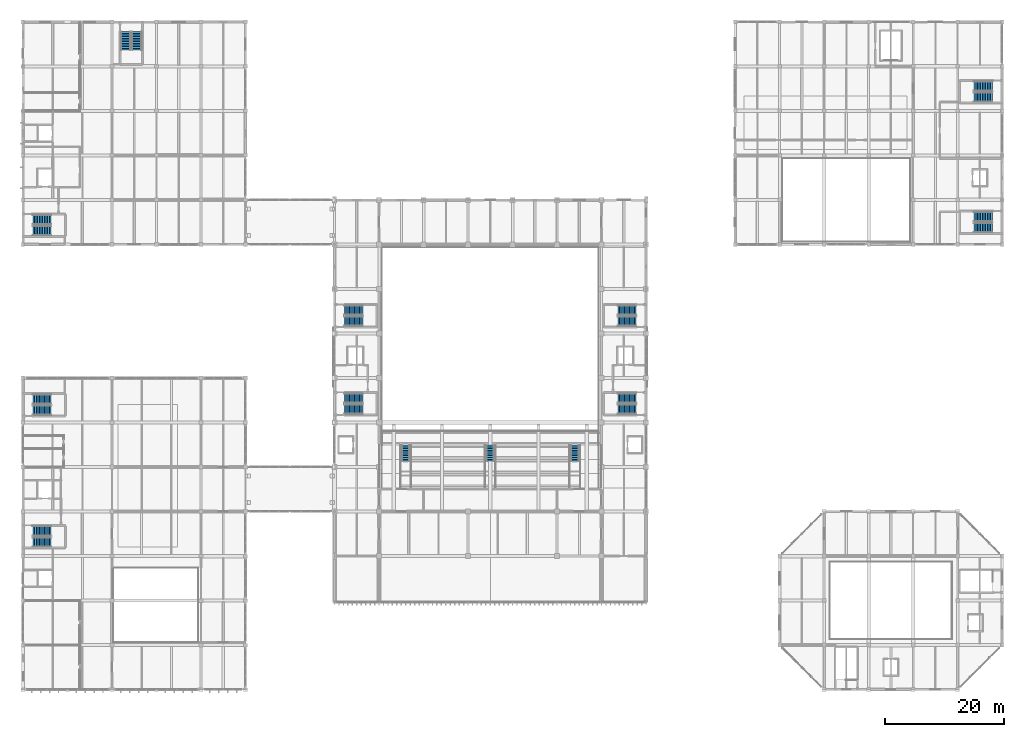
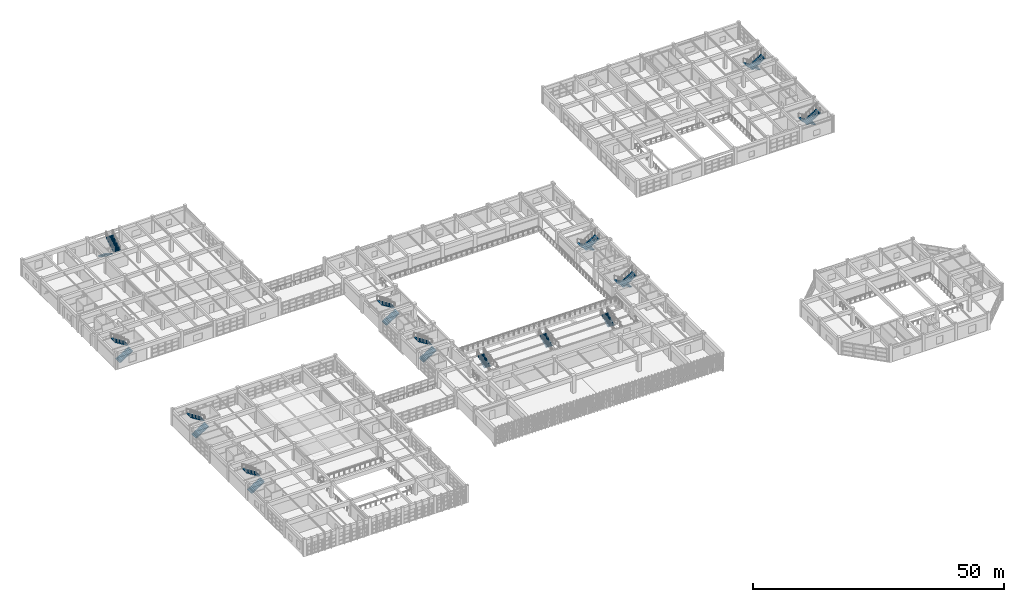
# One storey, part 102 of 124: 23 stair flights, 13 elements without a shape of their own.
"""IFC4 building model written with IfcOpenShell, lengths in metres."""

from ifc_helpers import new_model, si_unit, direction, frame, origin, place, context, subcontext, project, spatial, polyline, outline, extrude, material, type_object, element, aggregate, save


model = new_model("IFC4")

# Units and contexts
model_context = context("Model", 3, precision=1e-05, world=origin(), true_north=direction((0.0, 1.0)))
body_context = subcontext(model_context, "Body", "Model", "MODEL_VIEW")
ifc_project = project(units=[si_unit("LENGTHUNIT", "METRE"), si_unit("AREAUNIT", "SQUARE_METRE"), si_unit("VOLUMEUNIT", "CUBIC_METRE"), si_unit("PLANEANGLEUNIT", "RADIAN"), si_unit("MASSUNIT", "GRAM", prefix="KILO")], contexts=[model_context])

# Site, building, storey
site_placement = place(None, origin())
site = spatial("IfcSite", under=ifc_project, at=site_placement, CompositionType="ELEMENT")
building_placement = place(site_placement, origin())
building = spatial("IfcBuilding", under=site, at=building_placement, Name="Qasida Concert Hall", CompositionType="ELEMENT")
storey_placement = place(building_placement, frame((0.0, 0.0, 9.0)))
storey = spatial("IfcBuildingStorey", under=building, at=storey_placement, Name="L02", CompositionType="ELEMENT", Elevation=9.0)

# Stair, stair flights
ifc_material = material(Name="Concrete C40/50", Category="concrete")
stair_type_1 = type_object("IfcStairType", Name="ST-DL-165", PredefinedType="HALF_TURN_STAIR", material=ifc_material)
stair_1_placement = place(storey_placement, origin())
stair_1 = element("IfcStair", 1, at=stair_1_placement, inside=storey, type_object=stair_type_1, Name="L02 Exit stair ST-05", PredefinedType="HALF_TURN_STAIR")
stair_flight_type_1 = type_object("IfcStairFlightType", Name="SF-DL-165", PredefinedType="STRAIGHT", material=ifc_material)
stair_flight_1_placement = place(storey_placement, frame((1.64990234375, 77.324951171875, 0.0), z_axis=(0.0, 0.0, 1.0), x_axis=(1.0, 0.0, 0.0)))
stair_flight_1 = element("IfcStairFlight", 2, at=stair_flight_1_placement, type_object=stair_flight_type_1, Name="ST-05 flight 1", NumberOfRisers=12, NumberOfTreads=11, PredefinedType="STRAIGHT", RiserHeight=0.175, TreadLength=0.28, context=body_context, shape_type="SweptSolid", body=[
    extrude(outline(polyline([(0.0, 0.0), (0.0, 0.175048828125), (0.280029296875, 0.175048828125), (0.280029296875, 0.35009765625), (0.56005859375, 0.35009765625), (0.56005859375, 0.52490234375), (0.840087890625, 0.52490234375), (0.840087890625, 0.699951171875), (1.1201171875, 0.699951171875), (1.1201171875, 0.875), (1.39990234375, 0.875), (1.39990234375, 1.050048828125), (1.679931640625, 1.050048828125), (1.679931640625, 1.22509765625), (1.9599609375, 1.22509765625), (1.9599609375, 1.39990234375), (2.239990234375, 1.39990234375), (2.239990234375, 1.574951171875), (2.52001953125, 1.574951171875), (2.52001953125, 1.75), (2.800048828125, 1.75), (2.800048828125, 1.925048828125), (3.080078125, 1.925048828125), (3.080078125, 2.10009765625), (3.080078125, 1.736328125), (0.3017578125, 0.0), (0.0, 0.0)])), frame((0.0, 0.824951171875, 0.0), z_axis=(0.0, -1.0, 0.0), x_axis=(1.0, 0.0, 0.0)), (0.0, 0.0, 1.0), 1.64990234375),
])
stair_flight_2_placement = place(storey_placement, frame((4.72998046875, 79.175048828125, 2.10009765625), z_axis=(0.0, 0.0, 1.0), x_axis=(-1.0, 0.0, 0.0)))
stair_flight_2 = element("IfcStairFlight", 3, at=stair_flight_2_placement, type_object=stair_flight_type_1, Name="ST-05 flight 2", NumberOfRisers=12, NumberOfTreads=11, PredefinedType="STRAIGHT", RiserHeight=0.175, TreadLength=0.28, context=body_context, shape_type="SweptSolid", body=[
    extrude(outline(polyline([(0.0, 0.0), (0.0, 0.175048828125), (0.280029296875, 0.175048828125), (0.280029296875, 0.35009765625), (0.56005859375, 0.35009765625), (0.56005859375, 0.52490234375), (0.840087890625, 0.52490234375), (0.840087890625, 0.699951171875), (1.1201171875, 0.699951171875), (1.1201171875, 0.875), (1.39990234375, 0.875), (1.39990234375, 1.050048828125), (1.679931640625, 1.050048828125), (1.679931640625, 1.22509765625), (1.9599609375, 1.22509765625), (1.9599609375, 1.39990234375), (2.239990234375, 1.39990234375), (2.239990234375, 1.574951171875), (2.52001953125, 1.574951171875), (2.52001953125, 1.75), (2.800048828125, 1.75), (2.800048828125, 1.925048828125), (3.080078125, 1.925048828125), (3.080078125, 2.10009765625), (3.080078125, 1.736328125), (0.3017578125, 0.0), (0.0, 0.0)])), frame((0.0, 0.824951171875, 0.0), z_axis=(0.0, -1.0, 0.0), x_axis=(1.0, 0.0, 0.0)), (0.0, 0.0, 1.0), 1.64990234375),
])
aggregate(stair_1, [stair_flight_1, stair_flight_2])

stair_2_placement = place(storey_placement, origin())
stair_2 = element("IfcStair", 4, at=stair_2_placement, inside=storey, type_object=stair_type_1, Name="L02 Exit stair ST-06", PredefinedType="HALF_TURN_STAIR")
stair_flight_3_placement = place(storey_placement, frame((17.324951171875, 110.85009765625, 0.0), z_axis=(0.0, 0.0, 1.0), x_axis=(0.0, -1.0, 0.0)))
stair_flight_3 = element("IfcStairFlight", 5, at=stair_flight_3_placement, type_object=stair_flight_type_1, Name="ST-06 flight 1", NumberOfRisers=12, NumberOfTreads=11, PredefinedType="STRAIGHT", RiserHeight=0.175, TreadLength=0.28, context=body_context, shape_type="SweptSolid", body=[
    extrude(outline(polyline([(0.0, 0.0), (0.0, 0.175048828125), (0.280029296875, 0.175048828125), (0.280029296875, 0.35009765625), (0.56005859375, 0.35009765625), (0.56005859375, 0.52490234375), (0.840087890625, 0.52490234375), (0.840087890625, 0.699951171875), (1.1201171875, 0.699951171875), (1.1201171875, 0.875), (1.39990234375, 0.875), (1.39990234375, 1.050048828125), (1.679931640625, 1.050048828125), (1.679931640625, 1.22509765625), (1.9599609375, 1.22509765625), (1.9599609375, 1.39990234375), (2.239990234375, 1.39990234375), (2.239990234375, 1.574951171875), (2.52001953125, 1.574951171875), (2.52001953125, 1.75), (2.800048828125, 1.75), (2.800048828125, 1.925048828125), (3.080078125, 1.925048828125), (3.080078125, 2.10009765625), (3.080078125, 1.736328125), (0.3017578125, 0.0), (0.0, 0.0)])), frame((0.0, 0.824951171875, 0.0), z_axis=(0.0, -1.0, 0.0), x_axis=(1.0, 0.0, 0.0)), (0.0, 0.0, 1.0), 1.64990234375),
])
stair_flight_4_placement = place(storey_placement, frame((19.175048828125, 107.77001953125, 2.10009765625), z_axis=(0.0, 0.0, 1.0), x_axis=(0.0, 1.0, 0.0)))
stair_flight_4 = element("IfcStairFlight", 6, at=stair_flight_4_placement, type_object=stair_flight_type_1, Name="ST-06 flight 2", NumberOfRisers=12, NumberOfTreads=11, PredefinedType="STRAIGHT", RiserHeight=0.175, TreadLength=0.28, context=body_context, shape_type="SweptSolid", body=[
    extrude(outline(polyline([(0.0, 0.0), (0.0, 0.175048828125), (0.280029296875, 0.175048828125), (0.280029296875, 0.35009765625), (0.56005859375, 0.35009765625), (0.56005859375, 0.52490234375), (0.840087890625, 0.52490234375), (0.840087890625, 0.699951171875), (1.1201171875, 0.699951171875), (1.1201171875, 0.875), (1.39990234375, 0.875), (1.39990234375, 1.050048828125), (1.679931640625, 1.050048828125), (1.679931640625, 1.22509765625), (1.9599609375, 1.22509765625), (1.9599609375, 1.39990234375), (2.239990234375, 1.39990234375), (2.239990234375, 1.574951171875), (2.52001953125, 1.574951171875), (2.52001953125, 1.75), (2.800048828125, 1.75), (2.800048828125, 1.925048828125), (3.080078125, 1.925048828125), (3.080078125, 2.10009765625), (3.080078125, 1.736328125), (0.3017578125, 0.0), (0.0, 0.0)])), frame((0.0, 0.824951171875, 0.0), z_axis=(0.0, -1.0, 0.0), x_axis=(1.0, 0.0, 0.0)), (0.0, 0.0, 1.0), 1.64990234375),
])
aggregate(stair_2, [stair_flight_3, stair_flight_4])

stair_3_placement = place(storey_placement, origin())
stair_3 = element("IfcStair", 7, at=stair_3_placement, inside=storey, type_object=stair_type_1, Name="L02 Exit stair ST-07", PredefinedType="HALF_TURN_STAIR")
stair_flight_5_placement = place(storey_placement, frame((163.35009765625, 79.675048828125, 0.0), z_axis=(0.0, 0.0, 1.0), x_axis=(-1.0, 0.0, 0.0)))
stair_flight_5 = element("IfcStairFlight", 8, at=stair_flight_5_placement, type_object=stair_flight_type_1, Name="ST-07 flight 1", NumberOfRisers=12, NumberOfTreads=11, PredefinedType="STRAIGHT", RiserHeight=0.175, TreadLength=0.28, context=body_context, shape_type="SweptSolid", body=[
    extrude(outline(polyline([(0.0, 0.0), (0.0, 0.175048828125), (0.280029296875, 0.175048828125), (0.280029296875, 0.35009765625), (0.56005859375, 0.35009765625), (0.56005859375, 0.52490234375), (0.840087890625, 0.52490234375), (0.840087890625, 0.699951171875), (1.1201171875, 0.699951171875), (1.1201171875, 0.875), (1.39990234375, 0.875), (1.39990234375, 1.050048828125), (1.679931640625, 1.050048828125), (1.679931640625, 1.22509765625), (1.9599609375, 1.22509765625), (1.9599609375, 1.39990234375), (2.239990234375, 1.39990234375), (2.239990234375, 1.574951171875), (2.52001953125, 1.574951171875), (2.52001953125, 1.75), (2.800048828125, 1.75), (2.800048828125, 1.925048828125), (3.080078125, 1.925048828125), (3.080078125, 2.10009765625), (3.080078125, 1.736328125), (0.3017578125, 0.0), (0.0, 0.0)])), frame((0.0, 0.824951171875, 0.0), z_axis=(0.0, -1.0, 0.0), x_axis=(1.0, 0.0, 0.0)), (0.0, 0.0, 1.0), 1.64990234375),
])
stair_flight_6_placement = place(storey_placement, frame((160.27001953125, 77.824951171875, 2.10009765625), z_axis=(0.0, 0.0, 1.0), x_axis=(1.0, 0.0, 0.0)))
stair_flight_6 = element("IfcStairFlight", 9, at=stair_flight_6_placement, type_object=stair_flight_type_1, Name="ST-07 flight 2", NumberOfRisers=12, NumberOfTreads=11, PredefinedType="STRAIGHT", RiserHeight=0.175, TreadLength=0.28, context=body_context, shape_type="SweptSolid", body=[
    extrude(outline(polyline([(0.0, 0.0), (0.0, 0.175048828125), (0.280029296875, 0.175048828125), (0.280029296875, 0.35009765625), (0.56005859375, 0.35009765625), (0.56005859375, 0.52490234375), (0.840087890625, 0.52490234375), (0.840087890625, 0.699951171875), (1.1201171875, 0.699951171875), (1.1201171875, 0.875), (1.39990234375, 0.875), (1.39990234375, 1.050048828125), (1.679931640625, 1.050048828125), (1.679931640625, 1.22509765625), (1.9599609375, 1.22509765625), (1.9599609375, 1.39990234375), (2.239990234375, 1.39990234375), (2.239990234375, 1.574951171875), (2.52001953125, 1.574951171875), (2.52001953125, 1.75), (2.800048828125, 1.75), (2.800048828125, 1.925048828125), (3.080078125, 1.925048828125), (3.080078125, 2.10009765625), (3.080078125, 1.736328125), (0.3017578125, 0.0), (0.0, 0.0)])), frame((0.0, 0.824951171875, 0.0), z_axis=(0.0, -1.0, 0.0), x_axis=(1.0, 0.0, 0.0)), (0.0, 0.0, 1.0), 1.64990234375),
])
aggregate(stair_3, [stair_flight_5, stair_flight_6])

stair_4_placement = place(storey_placement, origin())
stair_4 = element("IfcStair", 10, at=stair_4_placement, inside=storey, type_object=stair_type_1, Name="L02 Exit stair ST-08", PredefinedType="HALF_TURN_STAIR")
stair_flight_7_placement = place(storey_placement, frame((163.35009765625, 101.675048828125, 0.0), z_axis=(0.0, 0.0, 1.0), x_axis=(-1.0, 0.0, 0.0)))
stair_flight_7 = element("IfcStairFlight", 11, at=stair_flight_7_placement, type_object=stair_flight_type_1, Name="ST-08 flight 1", NumberOfRisers=12, NumberOfTreads=11, PredefinedType="STRAIGHT", RiserHeight=0.175, TreadLength=0.28, context=body_context, shape_type="SweptSolid", body=[
    extrude(outline(polyline([(0.0, 0.0), (0.0, 0.175048828125), (0.280029296875, 0.175048828125), (0.280029296875, 0.35009765625), (0.56005859375, 0.35009765625), (0.56005859375, 0.52490234375), (0.840087890625, 0.52490234375), (0.840087890625, 0.699951171875), (1.1201171875, 0.699951171875), (1.1201171875, 0.875), (1.39990234375, 0.875), (1.39990234375, 1.050048828125), (1.679931640625, 1.050048828125), (1.679931640625, 1.22509765625), (1.9599609375, 1.22509765625), (1.9599609375, 1.39990234375), (2.239990234375, 1.39990234375), (2.239990234375, 1.574951171875), (2.52001953125, 1.574951171875), (2.52001953125, 1.75), (2.800048828125, 1.75), (2.800048828125, 1.925048828125), (3.080078125, 1.925048828125), (3.080078125, 2.10009765625), (3.080078125, 1.736328125), (0.3017578125, 0.0), (0.0, 0.0)])), frame((0.0, 0.824951171875, 0.0), z_axis=(0.0, -1.0, 0.0), x_axis=(1.0, 0.0, 0.0)), (0.0, 0.0, 1.0), 1.64990234375),
])
stair_flight_8_placement = place(storey_placement, frame((160.27001953125, 99.824951171875, 2.10009765625), z_axis=(0.0, 0.0, 1.0), x_axis=(1.0, 0.0, 0.0)))
stair_flight_8 = element("IfcStairFlight", 12, at=stair_flight_8_placement, type_object=stair_flight_type_1, Name="ST-08 flight 2", NumberOfRisers=12, NumberOfTreads=11, PredefinedType="STRAIGHT", RiserHeight=0.175, TreadLength=0.28, context=body_context, shape_type="SweptSolid", body=[
    extrude(outline(polyline([(0.0, 0.0), (0.0, 0.175048828125), (0.280029296875, 0.175048828125), (0.280029296875, 0.35009765625), (0.56005859375, 0.35009765625), (0.56005859375, 0.52490234375), (0.840087890625, 0.52490234375), (0.840087890625, 0.699951171875), (1.1201171875, 0.699951171875), (1.1201171875, 0.875), (1.39990234375, 0.875), (1.39990234375, 1.050048828125), (1.679931640625, 1.050048828125), (1.679931640625, 1.22509765625), (1.9599609375, 1.22509765625), (1.9599609375, 1.39990234375), (2.239990234375, 1.39990234375), (2.239990234375, 1.574951171875), (2.52001953125, 1.574951171875), (2.52001953125, 1.75), (2.800048828125, 1.75), (2.800048828125, 1.925048828125), (3.080078125, 1.925048828125), (3.080078125, 2.10009765625), (3.080078125, 1.736328125), (0.3017578125, 0.0), (0.0, 0.0)])), frame((0.0, 0.824951171875, 0.0), z_axis=(0.0, -1.0, 0.0), x_axis=(1.0, 0.0, 0.0)), (0.0, 0.0, 1.0), 1.64990234375),
])
aggregate(stair_4, [stair_flight_7, stair_flight_8])

stair_type_2 = type_object("IfcStairType", Name="ST-DL-168", PredefinedType="HALF_TURN_STAIR", material=ifc_material)
stair_5_placement = place(storey_placement, origin())
stair_5 = element("IfcStair", 13, at=stair_5_placement, inside=storey, type_object=stair_type_2, Name="L02 Exit stair ST-01", PredefinedType="HALF_TURN_STAIR")
stair_flight_type_2 = type_object("IfcStairFlightType", Name="SF-DL-168", PredefinedType="STRAIGHT", material=ifc_material)
stair_flight_9_placement = place(storey_placement, frame((54.179931640625, 47.239990234375, 0.0), z_axis=(0.0, 0.0, 1.0), x_axis=(1.0, 0.0, 0.0)))
stair_flight_9 = element("IfcStairFlight", 14, at=stair_flight_9_placement, type_object=stair_flight_type_2, Name="ST-01 flight 1", NumberOfRisers=12, NumberOfTreads=11, PredefinedType="STRAIGHT", RiserHeight=0.175, TreadLength=0.28, context=body_context, shape_type="SweptSolid", body=[
    extrude(outline(polyline([(0.0, 0.0), (0.0, 0.175048828125), (0.280029296875, 0.175048828125), (0.280029296875, 0.35009765625), (0.56005859375, 0.35009765625), (0.56005859375, 0.52490234375), (0.840087890625, 0.52490234375), (0.840087890625, 0.699951171875), (1.1201171875, 0.699951171875), (1.1201171875, 0.875), (1.39990234375, 0.875), (1.39990234375, 1.050048828125), (1.679931640625, 1.050048828125), (1.679931640625, 1.22509765625), (1.9599609375, 1.22509765625), (1.9599609375, 1.39990234375), (2.239990234375, 1.39990234375), (2.239990234375, 1.574951171875), (2.52001953125, 1.574951171875), (2.52001953125, 1.75), (2.800048828125, 1.75), (2.800048828125, 1.925048828125), (3.080078125, 1.925048828125), (3.080078125, 2.10009765625), (3.080078125, 1.736328125), (0.3017578125, 0.0), (0.0, 0.0)])), frame((0.0, 0.83984375, 0.0), z_axis=(0.0, -1.0, 0.0), x_axis=(1.0, 0.0, 0.0)), (0.0, 0.0, 1.0), 1.679931640625),
])
stair_flight_10_placement = place(storey_placement, frame((57.260009765625, 49.1201171875, 2.10009765625), z_axis=(0.0, 0.0, 1.0), x_axis=(-1.0, 0.0, 0.0)))
stair_flight_10 = element("IfcStairFlight", 15, at=stair_flight_10_placement, type_object=stair_flight_type_2, Name="ST-01 flight 2", NumberOfRisers=12, NumberOfTreads=11, PredefinedType="STRAIGHT", RiserHeight=0.175, TreadLength=0.28, context=body_context, shape_type="SweptSolid", body=[
    extrude(outline(polyline([(0.0, 0.0), (0.0, 0.175048828125), (0.280029296875, 0.175048828125), (0.280029296875, 0.35009765625), (0.56005859375, 0.35009765625), (0.56005859375, 0.52490234375), (0.840087890625, 0.52490234375), (0.840087890625, 0.699951171875), (1.1201171875, 0.699951171875), (1.1201171875, 0.875), (1.39990234375, 0.875), (1.39990234375, 1.050048828125), (1.679931640625, 1.050048828125), (1.679931640625, 1.22509765625), (1.9599609375, 1.22509765625), (1.9599609375, 1.39990234375), (2.239990234375, 1.39990234375), (2.239990234375, 1.574951171875), (2.52001953125, 1.574951171875), (2.52001953125, 1.75), (2.800048828125, 1.75), (2.800048828125, 1.925048828125), (3.080078125, 1.925048828125), (3.080078125, 2.10009765625), (3.080078125, 1.736328125), (0.3017578125, 0.0), (0.0, 0.0)])), frame((0.0, 0.83984375, 0.0), z_axis=(0.0, -1.0, 0.0), x_axis=(1.0, 0.0, 0.0)), (0.0, 0.0, 1.0), 1.679931640625),
])
aggregate(stair_5, [stair_flight_9, stair_flight_10])

stair_6_placement = place(storey_placement, origin())
stair_6 = element("IfcStair", 16, at=stair_6_placement, inside=storey, type_object=stair_type_2, Name="L02 Exit stair ST-02", PredefinedType="HALF_TURN_STAIR")
stair_flight_11_placement = place(storey_placement, frame((103.320068359375, 49.1201171875, 0.0), z_axis=(0.0, 0.0, 1.0), x_axis=(-1.0, 0.0, 0.0)))
stair_flight_11 = element("IfcStairFlight", 17, at=stair_flight_11_placement, type_object=stair_flight_type_2, Name="ST-02 flight 1", NumberOfRisers=12, NumberOfTreads=11, PredefinedType="STRAIGHT", RiserHeight=0.175, TreadLength=0.28, context=body_context, shape_type="SweptSolid", body=[
    extrude(outline(polyline([(0.0, 0.0), (0.0, 0.175048828125), (0.280029296875, 0.175048828125), (0.280029296875, 0.35009765625), (0.56005859375, 0.35009765625), (0.56005859375, 0.52490234375), (0.840087890625, 0.52490234375), (0.840087890625, 0.699951171875), (1.1201171875, 0.699951171875), (1.1201171875, 0.875), (1.39990234375, 0.875), (1.39990234375, 1.050048828125), (1.679931640625, 1.050048828125), (1.679931640625, 1.22509765625), (1.9599609375, 1.22509765625), (1.9599609375, 1.39990234375), (2.239990234375, 1.39990234375), (2.239990234375, 1.574951171875), (2.52001953125, 1.574951171875), (2.52001953125, 1.75), (2.800048828125, 1.75), (2.800048828125, 1.925048828125), (3.080078125, 1.925048828125), (3.080078125, 2.10009765625), (3.080078125, 1.736328125), (0.3017578125, 0.0), (0.0, 0.0)])), frame((0.0, 0.83984375, 0.0), z_axis=(0.0, -1.0, 0.0), x_axis=(1.0, 0.0, 0.0)), (0.0, 0.0, 1.0), 1.679931640625),
])
stair_flight_12_placement = place(storey_placement, frame((100.239990234375, 47.239990234375, 2.10009765625), z_axis=(0.0, 0.0, 1.0), x_axis=(1.0, 0.0, 0.0)))
stair_flight_12 = element("IfcStairFlight", 18, at=stair_flight_12_placement, type_object=stair_flight_type_2, Name="ST-02 flight 2", NumberOfRisers=12, NumberOfTreads=11, PredefinedType="STRAIGHT", RiserHeight=0.175, TreadLength=0.28, context=body_context, shape_type="SweptSolid", body=[
    extrude(outline(polyline([(0.0, 0.0), (0.0, 0.175048828125), (0.280029296875, 0.175048828125), (0.280029296875, 0.35009765625), (0.56005859375, 0.35009765625), (0.56005859375, 0.52490234375), (0.840087890625, 0.52490234375), (0.840087890625, 0.699951171875), (1.1201171875, 0.699951171875), (1.1201171875, 0.875), (1.39990234375, 0.875), (1.39990234375, 1.050048828125), (1.679931640625, 1.050048828125), (1.679931640625, 1.22509765625), (1.9599609375, 1.22509765625), (1.9599609375, 1.39990234375), (2.239990234375, 1.39990234375), (2.239990234375, 1.574951171875), (2.52001953125, 1.574951171875), (2.52001953125, 1.75), (2.800048828125, 1.75), (2.800048828125, 1.925048828125), (3.080078125, 1.925048828125), (3.080078125, 2.10009765625), (3.080078125, 1.736328125), (0.3017578125, 0.0), (0.0, 0.0)])), frame((0.0, 0.83984375, 0.0), z_axis=(0.0, -1.0, 0.0), x_axis=(1.0, 0.0, 0.0)), (0.0, 0.0, 1.0), 1.679931640625),
])
aggregate(stair_6, [stair_flight_11, stair_flight_12])

stair_7_placement = place(storey_placement, origin())
stair_7 = element("IfcStair", 19, at=stair_7_placement, inside=storey, type_object=stair_type_2, Name="L02 Exit stair ST-03", PredefinedType="HALF_TURN_STAIR")
stair_flight_13_placement = place(storey_placement, frame((1.679931640625, 24.840087890625, 0.0), z_axis=(0.0, 0.0, 1.0), x_axis=(1.0, 0.0, 0.0)))
stair_flight_13 = element("IfcStairFlight", 20, at=stair_flight_13_placement, type_object=stair_flight_type_2, Name="ST-03 flight 1", NumberOfRisers=12, NumberOfTreads=11, PredefinedType="STRAIGHT", RiserHeight=0.175, TreadLength=0.28, context=body_context, shape_type="SweptSolid", body=[
    extrude(outline(polyline([(0.0, 0.0), (0.0, 0.175048828125), (0.280029296875, 0.175048828125), (0.280029296875, 0.35009765625), (0.56005859375, 0.35009765625), (0.56005859375, 0.52490234375), (0.840087890625, 0.52490234375), (0.840087890625, 0.699951171875), (1.1201171875, 0.699951171875), (1.1201171875, 0.875), (1.39990234375, 0.875), (1.39990234375, 1.050048828125), (1.679931640625, 1.050048828125), (1.679931640625, 1.22509765625), (1.9599609375, 1.22509765625), (1.9599609375, 1.39990234375), (2.239990234375, 1.39990234375), (2.239990234375, 1.574951171875), (2.52001953125, 1.574951171875), (2.52001953125, 1.75), (2.800048828125, 1.75), (2.800048828125, 1.925048828125), (3.080078125, 1.925048828125), (3.080078125, 2.10009765625), (3.080078125, 1.736328125), (0.3017578125, 0.0), (0.0, 0.0)])), frame((0.0, 0.83984375, 0.0), z_axis=(0.0, -1.0, 0.0), x_axis=(1.0, 0.0, 0.0)), (0.0, 0.0, 1.0), 1.679931640625),
])
stair_flight_14_placement = place(storey_placement, frame((4.760009765625, 26.719970703125, 2.10009765625), z_axis=(0.0, 0.0, 1.0), x_axis=(-1.0, 0.0, 0.0)))
stair_flight_14 = element("IfcStairFlight", 21, at=stair_flight_14_placement, type_object=stair_flight_type_2, Name="ST-03 flight 2", NumberOfRisers=12, NumberOfTreads=11, PredefinedType="STRAIGHT", RiserHeight=0.175, TreadLength=0.28, context=body_context, shape_type="SweptSolid", body=[
    extrude(outline(polyline([(0.0, 0.0), (0.0, 0.175048828125), (0.280029296875, 0.175048828125), (0.280029296875, 0.35009765625), (0.56005859375, 0.35009765625), (0.56005859375, 0.52490234375), (0.840087890625, 0.52490234375), (0.840087890625, 0.699951171875), (1.1201171875, 0.699951171875), (1.1201171875, 0.875), (1.39990234375, 0.875), (1.39990234375, 1.050048828125), (1.679931640625, 1.050048828125), (1.679931640625, 1.22509765625), (1.9599609375, 1.22509765625), (1.9599609375, 1.39990234375), (2.239990234375, 1.39990234375), (2.239990234375, 1.574951171875), (2.52001953125, 1.574951171875), (2.52001953125, 1.75), (2.800048828125, 1.75), (2.800048828125, 1.925048828125), (3.080078125, 1.925048828125), (3.080078125, 2.10009765625), (3.080078125, 1.736328125), (0.3017578125, 0.0), (0.0, 0.0)])), frame((0.0, 0.83984375, 0.0), z_axis=(0.0, -1.0, 0.0), x_axis=(1.0, 0.0, 0.0)), (0.0, 0.0, 1.0), 1.679931640625),
])
aggregate(stair_7, [stair_flight_13, stair_flight_14])

stair_8_placement = place(storey_placement, origin())
stair_8 = element("IfcStair", 22, at=stair_8_placement, inside=storey, type_object=stair_type_2, Name="L02 Exit stair ST-04", PredefinedType="HALF_TURN_STAIR")
stair_flight_15_placement = place(storey_placement, frame((1.679931640625, 47.0400390625, 0.0), z_axis=(0.0, 0.0, 1.0), x_axis=(1.0, 0.0, 0.0)))
stair_flight_15 = element("IfcStairFlight", 23, at=stair_flight_15_placement, type_object=stair_flight_type_2, Name="ST-04 flight 1", NumberOfRisers=12, NumberOfTreads=11, PredefinedType="STRAIGHT", RiserHeight=0.175, TreadLength=0.28, context=body_context, shape_type="SweptSolid", body=[
    extrude(outline(polyline([(0.0, 0.0), (0.0, 0.175048828125), (0.280029296875, 0.175048828125), (0.280029296875, 0.35009765625), (0.56005859375, 0.35009765625), (0.56005859375, 0.52490234375), (0.840087890625, 0.52490234375), (0.840087890625, 0.699951171875), (1.1201171875, 0.699951171875), (1.1201171875, 0.875), (1.39990234375, 0.875), (1.39990234375, 1.050048828125), (1.679931640625, 1.050048828125), (1.679931640625, 1.22509765625), (1.9599609375, 1.22509765625), (1.9599609375, 1.39990234375), (2.239990234375, 1.39990234375), (2.239990234375, 1.574951171875), (2.52001953125, 1.574951171875), (2.52001953125, 1.75), (2.800048828125, 1.75), (2.800048828125, 1.925048828125), (3.080078125, 1.925048828125), (3.080078125, 2.10009765625), (3.080078125, 1.736328125), (0.3017578125, 0.0), (0.0, 0.0)])), frame((0.0, 0.83984375, 0.0), z_axis=(0.0, -1.0, 0.0), x_axis=(1.0, 0.0, 0.0)), (0.0, 0.0, 1.0), 1.679931640625),
])
stair_flight_16_placement = place(storey_placement, frame((4.760009765625, 48.919921875, 2.10009765625), z_axis=(0.0, 0.0, 1.0), x_axis=(-1.0, 0.0, 0.0)))
stair_flight_16 = element("IfcStairFlight", 24, at=stair_flight_16_placement, type_object=stair_flight_type_2, Name="ST-04 flight 2", NumberOfRisers=12, NumberOfTreads=11, PredefinedType="STRAIGHT", RiserHeight=0.175, TreadLength=0.28, context=body_context, shape_type="SweptSolid", body=[
    extrude(outline(polyline([(0.0, 0.0), (0.0, 0.175048828125), (0.280029296875, 0.175048828125), (0.280029296875, 0.35009765625), (0.56005859375, 0.35009765625), (0.56005859375, 0.52490234375), (0.840087890625, 0.52490234375), (0.840087890625, 0.699951171875), (1.1201171875, 0.699951171875), (1.1201171875, 0.875), (1.39990234375, 0.875), (1.39990234375, 1.050048828125), (1.679931640625, 1.050048828125), (1.679931640625, 1.22509765625), (1.9599609375, 1.22509765625), (1.9599609375, 1.39990234375), (2.239990234375, 1.39990234375), (2.239990234375, 1.574951171875), (2.52001953125, 1.574951171875), (2.52001953125, 1.75), (2.800048828125, 1.75), (2.800048828125, 1.925048828125), (3.080078125, 1.925048828125), (3.080078125, 2.10009765625), (3.080078125, 1.736328125), (0.3017578125, 0.0), (0.0, 0.0)])), frame((0.0, 0.83984375, 0.0), z_axis=(0.0, -1.0, 0.0), x_axis=(1.0, 0.0, 0.0)), (0.0, 0.0, 1.0), 1.679931640625),
])
aggregate(stair_8, [stair_flight_15, stair_flight_16])

stair_9_placement = place(storey_placement, origin())
stair_9 = element("IfcStair", 25, at=stair_9_placement, inside=storey, type_object=stair_type_2, Name="L02 Exit stair ST-11", PredefinedType="HALF_TURN_STAIR")
stair_flight_17_placement = place(storey_placement, frame((54.179931640625, 62.0400390625, 0.0), z_axis=(0.0, 0.0, 1.0), x_axis=(1.0, 0.0, 0.0)))
stair_flight_17 = element("IfcStairFlight", 26, at=stair_flight_17_placement, type_object=stair_flight_type_2, Name="ST-11 flight 1", NumberOfRisers=12, NumberOfTreads=11, PredefinedType="STRAIGHT", RiserHeight=0.175, TreadLength=0.28, context=body_context, shape_type="SweptSolid", body=[
    extrude(outline(polyline([(0.0, 0.0), (0.0, 0.175048828125), (0.280029296875, 0.175048828125), (0.280029296875, 0.35009765625), (0.56005859375, 0.35009765625), (0.56005859375, 0.52490234375), (0.840087890625, 0.52490234375), (0.840087890625, 0.699951171875), (1.1201171875, 0.699951171875), (1.1201171875, 0.875), (1.39990234375, 0.875), (1.39990234375, 1.050048828125), (1.679931640625, 1.050048828125), (1.679931640625, 1.22509765625), (1.9599609375, 1.22509765625), (1.9599609375, 1.39990234375), (2.239990234375, 1.39990234375), (2.239990234375, 1.574951171875), (2.52001953125, 1.574951171875), (2.52001953125, 1.75), (2.800048828125, 1.75), (2.800048828125, 1.925048828125), (3.080078125, 1.925048828125), (3.080078125, 2.10009765625), (3.080078125, 1.736328125), (0.3017578125, 0.0), (0.0, 0.0)])), frame((0.0, 0.83984375, 0.0), z_axis=(0.0, -1.0, 0.0), x_axis=(1.0, 0.0, 0.0)), (0.0, 0.0, 1.0), 1.679931640625),
])
stair_flight_18_placement = place(storey_placement, frame((57.260009765625, 63.919921875, 2.10009765625), z_axis=(0.0, 0.0, 1.0), x_axis=(-1.0, 0.0, 0.0)))
stair_flight_18 = element("IfcStairFlight", 27, at=stair_flight_18_placement, type_object=stair_flight_type_2, Name="ST-11 flight 2", NumberOfRisers=12, NumberOfTreads=11, PredefinedType="STRAIGHT", RiserHeight=0.175, TreadLength=0.28, context=body_context, shape_type="SweptSolid", body=[
    extrude(outline(polyline([(0.0, 0.0), (0.0, 0.175048828125), (0.280029296875, 0.175048828125), (0.280029296875, 0.35009765625), (0.56005859375, 0.35009765625), (0.56005859375, 0.52490234375), (0.840087890625, 0.52490234375), (0.840087890625, 0.699951171875), (1.1201171875, 0.699951171875), (1.1201171875, 0.875), (1.39990234375, 0.875), (1.39990234375, 1.050048828125), (1.679931640625, 1.050048828125), (1.679931640625, 1.22509765625), (1.9599609375, 1.22509765625), (1.9599609375, 1.39990234375), (2.239990234375, 1.39990234375), (2.239990234375, 1.574951171875), (2.52001953125, 1.574951171875), (2.52001953125, 1.75), (2.800048828125, 1.75), (2.800048828125, 1.925048828125), (3.080078125, 1.925048828125), (3.080078125, 2.10009765625), (3.080078125, 1.736328125), (0.3017578125, 0.0), (0.0, 0.0)])), frame((0.0, 0.83984375, 0.0), z_axis=(0.0, -1.0, 0.0), x_axis=(1.0, 0.0, 0.0)), (0.0, 0.0, 1.0), 1.679931640625),
])
aggregate(stair_9, [stair_flight_17, stair_flight_18])

stair_10_placement = place(storey_placement, origin())
stair_10 = element("IfcStair", 28, at=stair_10_placement, inside=storey, type_object=stair_type_2, Name="L02 Exit stair ST-12", PredefinedType="HALF_TURN_STAIR")
stair_flight_19_placement = place(storey_placement, frame((103.320068359375, 63.919921875, 0.0), z_axis=(0.0, 0.0, 1.0), x_axis=(-1.0, 0.0, 0.0)))
stair_flight_19 = element("IfcStairFlight", 29, at=stair_flight_19_placement, type_object=stair_flight_type_2, Name="ST-12 flight 1", NumberOfRisers=12, NumberOfTreads=11, PredefinedType="STRAIGHT", RiserHeight=0.175, TreadLength=0.28, context=body_context, shape_type="SweptSolid", body=[
    extrude(outline(polyline([(0.0, 0.0), (0.0, 0.175048828125), (0.280029296875, 0.175048828125), (0.280029296875, 0.35009765625), (0.56005859375, 0.35009765625), (0.56005859375, 0.52490234375), (0.840087890625, 0.52490234375), (0.840087890625, 0.699951171875), (1.1201171875, 0.699951171875), (1.1201171875, 0.875), (1.39990234375, 0.875), (1.39990234375, 1.050048828125), (1.679931640625, 1.050048828125), (1.679931640625, 1.22509765625), (1.9599609375, 1.22509765625), (1.9599609375, 1.39990234375), (2.239990234375, 1.39990234375), (2.239990234375, 1.574951171875), (2.52001953125, 1.574951171875), (2.52001953125, 1.75), (2.800048828125, 1.75), (2.800048828125, 1.925048828125), (3.080078125, 1.925048828125), (3.080078125, 2.10009765625), (3.080078125, 1.736328125), (0.3017578125, 0.0), (0.0, 0.0)])), frame((0.0, 0.83984375, 0.0), z_axis=(0.0, -1.0, 0.0), x_axis=(1.0, 0.0, 0.0)), (0.0, 0.0, 1.0), 1.679931640625),
])
stair_flight_20_placement = place(storey_placement, frame((100.239990234375, 62.0400390625, 2.10009765625), z_axis=(0.0, 0.0, 1.0), x_axis=(1.0, 0.0, 0.0)))
stair_flight_20 = element("IfcStairFlight", 30, at=stair_flight_20_placement, type_object=stair_flight_type_2, Name="ST-12 flight 2", NumberOfRisers=12, NumberOfTreads=11, PredefinedType="STRAIGHT", RiserHeight=0.175, TreadLength=0.28, context=body_context, shape_type="SweptSolid", body=[
    extrude(outline(polyline([(0.0, 0.0), (0.0, 0.175048828125), (0.280029296875, 0.175048828125), (0.280029296875, 0.35009765625), (0.56005859375, 0.35009765625), (0.56005859375, 0.52490234375), (0.840087890625, 0.52490234375), (0.840087890625, 0.699951171875), (1.1201171875, 0.699951171875), (1.1201171875, 0.875), (1.39990234375, 0.875), (1.39990234375, 1.050048828125), (1.679931640625, 1.050048828125), (1.679931640625, 1.22509765625), (1.9599609375, 1.22509765625), (1.9599609375, 1.39990234375), (2.239990234375, 1.39990234375), (2.239990234375, 1.574951171875), (2.52001953125, 1.574951171875), (2.52001953125, 1.75), (2.800048828125, 1.75), (2.800048828125, 1.925048828125), (3.080078125, 1.925048828125), (3.080078125, 2.10009765625), (3.080078125, 1.736328125), (0.3017578125, 0.0), (0.0, 0.0)])), frame((0.0, 0.83984375, 0.0), z_axis=(0.0, -1.0, 0.0), x_axis=(1.0, 0.0, 0.0)), (0.0, 0.0, 1.0), 1.679931640625),
])
aggregate(stair_10, [stair_flight_19, stair_flight_20])

# Stair, stair flight
stair_type_3 = type_object("IfcStairType", Name="ST-VM-150", PredefinedType="STRAIGHT_RUN_STAIR", material=ifc_material)
stair_11_placement = place(storey_placement, origin())
stair_11 = element("IfcStair", 31, at=stair_11_placement, inside=storey, type_object=stair_type_3, Name="Vomitory stepped aisle stair ST-V01", PredefinedType="STRAIGHT_RUN_STAIR")
stair_flight_type_3 = type_object("IfcStairFlightType", Name="SF-VM-150", PredefinedType="STRAIGHT", material=ifc_material)
stair_flight_21_placement = place(storey_placement, frame((64.5, 38.5, 0.0), z_axis=(0.0, 0.0, 1.0), x_axis=(0.0, 1.0, 0.0)))
stair_flight_21 = element("IfcStairFlight", 32, at=stair_flight_21_placement, type_object=stair_flight_type_3, Name="ST-V01 flight 1", NumberOfRisers=10, NumberOfTreads=9, PredefinedType="STRAIGHT", RiserHeight=0.165, TreadLength=0.3, context=body_context, shape_type="SweptSolid", body=[
    extrude(outline(polyline([(0.0, 0.0), (0.0, 0.1650390625), (0.300048828125, 0.1650390625), (0.300048828125, 0.330078125), (0.60009765625, 0.330078125), (0.60009765625, 0.4951171875), (0.89990234375, 0.4951171875), (0.89990234375, 0.659912109375), (1.199951171875, 0.659912109375), (1.199951171875, 0.824951171875), (1.5, 0.824951171875), (1.5, 0.989990234375), (1.800048828125, 0.989990234375), (1.800048828125, 1.155029296875), (2.10009765625, 1.155029296875), (2.10009765625, 1.320068359375), (2.39990234375, 1.320068359375), (2.39990234375, 1.485107421875), (2.699951171875, 1.485107421875), (2.699951171875, 1.64990234375), (2.699951171875, 1.302490234375), (0.331787109375, 0.0), (0.0, 0.0)])), frame((0.0, 0.75, 0.0), z_axis=(0.0, -1.0, 0.0), x_axis=(1.0, 0.0, 0.0)), (0.0, 0.0, 1.0), 1.5),
])
aggregate(stair_11, [stair_flight_21])

stair_12_placement = place(storey_placement, origin())
stair_12 = element("IfcStair", 33, at=stair_12_placement, inside=storey, type_object=stair_type_3, Name="Vomitory stepped aisle stair ST-V02", PredefinedType="STRAIGHT_RUN_STAIR")
stair_flight_22_placement = place(storey_placement, frame((93.0, 38.5, 0.0), z_axis=(0.0, 0.0, 1.0), x_axis=(0.0, 1.0, 0.0)))
stair_flight_22 = element("IfcStairFlight", 34, at=stair_flight_22_placement, type_object=stair_flight_type_3, Name="ST-V02 flight 1", NumberOfRisers=10, NumberOfTreads=9, PredefinedType="STRAIGHT", RiserHeight=0.165, TreadLength=0.3, context=body_context, shape_type="SweptSolid", body=[
    extrude(outline(polyline([(0.0, 0.0), (0.0, 0.1650390625), (0.300048828125, 0.1650390625), (0.300048828125, 0.330078125), (0.60009765625, 0.330078125), (0.60009765625, 0.4951171875), (0.89990234375, 0.4951171875), (0.89990234375, 0.659912109375), (1.199951171875, 0.659912109375), (1.199951171875, 0.824951171875), (1.5, 0.824951171875), (1.5, 0.989990234375), (1.800048828125, 0.989990234375), (1.800048828125, 1.155029296875), (2.10009765625, 1.155029296875), (2.10009765625, 1.320068359375), (2.39990234375, 1.320068359375), (2.39990234375, 1.485107421875), (2.699951171875, 1.485107421875), (2.699951171875, 1.64990234375), (2.699951171875, 1.302490234375), (0.331787109375, 0.0), (0.0, 0.0)])), frame((0.0, 0.75, 0.0), z_axis=(0.0, -1.0, 0.0), x_axis=(1.0, 0.0, 0.0)), (0.0, 0.0, 1.0), 1.5),
])
aggregate(stair_12, [stair_flight_22])

stair_13_placement = place(storey_placement, origin())
stair_13 = element("IfcStair", 35, at=stair_13_placement, inside=storey, type_object=stair_type_3, Name="Vomitory stepped aisle stair ST-V03", PredefinedType="STRAIGHT_RUN_STAIR")
stair_flight_23_placement = place(storey_placement, frame((78.75, 38.5, 0.0), z_axis=(0.0, 0.0, 1.0), x_axis=(0.0, 1.0, 0.0)))
stair_flight_23 = element("IfcStairFlight", 36, at=stair_flight_23_placement, type_object=stair_flight_type_3, Name="ST-V03 flight 1", NumberOfRisers=10, NumberOfTreads=9, PredefinedType="STRAIGHT", RiserHeight=0.165, TreadLength=0.3, context=body_context, shape_type="SweptSolid", body=[
    extrude(outline(polyline([(0.0, 0.0), (0.0, 0.1650390625), (0.300048828125, 0.1650390625), (0.300048828125, 0.330078125), (0.60009765625, 0.330078125), (0.60009765625, 0.4951171875), (0.89990234375, 0.4951171875), (0.89990234375, 0.659912109375), (1.199951171875, 0.659912109375), (1.199951171875, 0.824951171875), (1.5, 0.824951171875), (1.5, 0.989990234375), (1.800048828125, 0.989990234375), (1.800048828125, 1.155029296875), (2.10009765625, 1.155029296875), (2.10009765625, 1.320068359375), (2.39990234375, 1.320068359375), (2.39990234375, 1.485107421875), (2.699951171875, 1.485107421875), (2.699951171875, 1.64990234375), (2.699951171875, 1.302490234375), (0.331787109375, 0.0), (0.0, 0.0)])), frame((0.0, 0.75, 0.0), z_axis=(0.0, -1.0, 0.0), x_axis=(1.0, 0.0, 0.0)), (0.0, 0.0, 1.0), 1.5),
])
aggregate(stair_13, [stair_flight_23])

save(model, "model.ifc")
